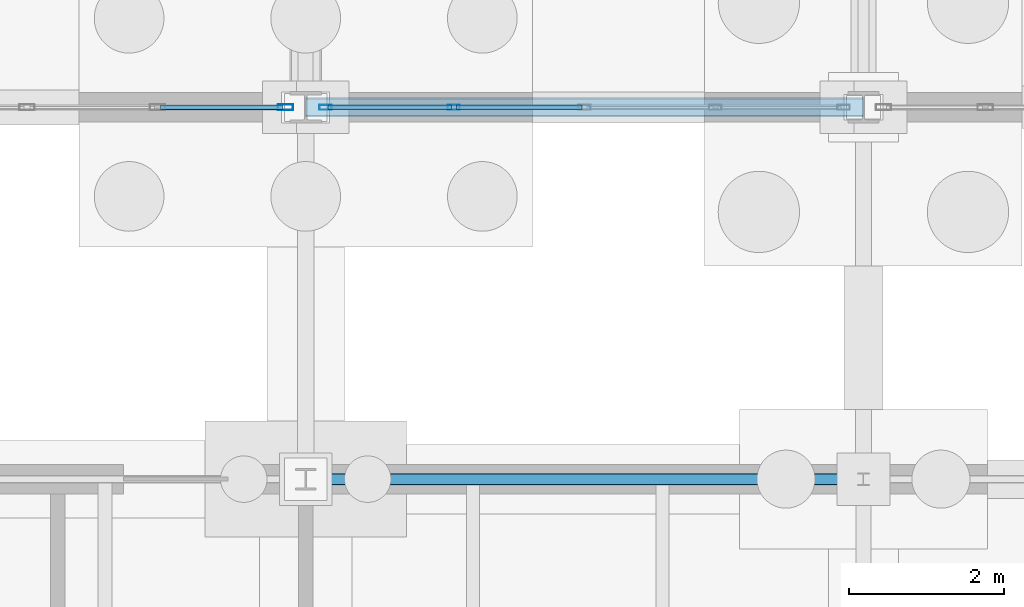
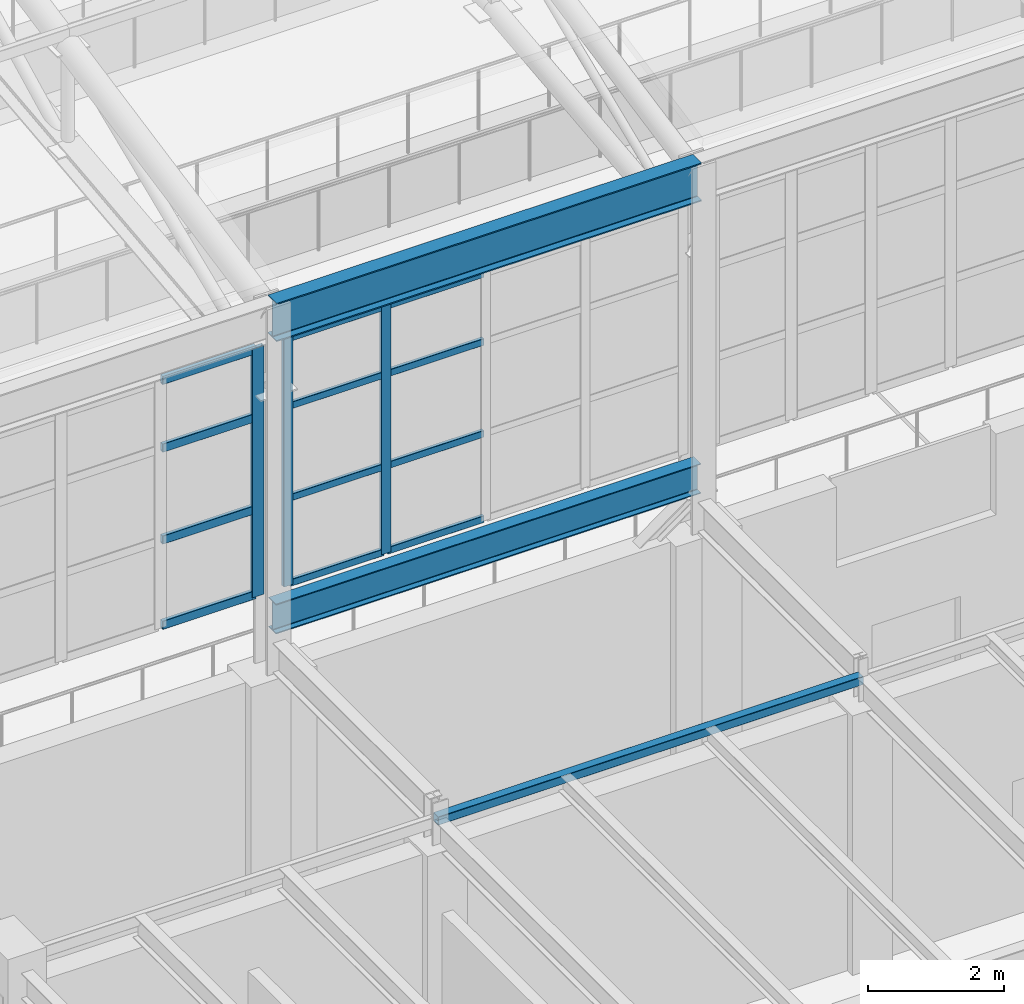
# One storey, part 168 of 293: 15 members, 3 beams, 2 elements without a shape of their own.
"""IFC4 building model written with IfcOpenShell, lengths in metres."""

from ifc_helpers import new_model, si_unit, direction, frame, origin, origin_2d, place, context, subcontext, project, spatial, hollow_rectangle, i_section, extrude, material, layer, layer_set, material_profile, profile_set, type_object, element, aggregate, save


model = new_model("IFC4")

# Units and contexts
model_context = context("Model", 3, precision=1e-05, world=origin(), true_north=direction((0.0, 1.0)))
body_context = subcontext(model_context, "Body", "Model", "MODEL_VIEW")
ifc_project = project(units=[si_unit("LENGTHUNIT", "METRE"), si_unit("AREAUNIT", "SQUARE_METRE"), si_unit("VOLUMEUNIT", "CUBIC_METRE"), si_unit("PLANEANGLEUNIT", "RADIAN"), si_unit("MASSUNIT", "GRAM", prefix="KILO")], contexts=[model_context])

# Site, building, storey
site_placement = place(None, origin())
site = spatial("IfcSite", under=ifc_project, at=site_placement, CompositionType="ELEMENT")
building_placement = place(site_placement, origin())
building = spatial("IfcBuilding", under=site, at=building_placement, Name="Kemerveld Promenade Tramway Depot", CompositionType="ELEMENT")
storey_placement = place(building_placement, origin())
storey = spatial("IfcBuildingStorey", under=building, at=storey_placement, Name="L00", CompositionType="ELEMENT", Elevation=0.0)

# Beams
ifc_material_1 = material(Name="Steel S355", Category="steel")
ifc_material_profile_1 = material_profile(ifc_material_1, i_section(OverallWidth=0.25439453125, OverallDepth=0.6875, WebThickness=0.01318359375, FlangeThickness=0.02099609375, FilletRadius=0.01513671875, at=origin_2d()), Name="686x254x152 UB")
ifc_profile_set_1 = profile_set([ifc_material_profile_1], Name="Steel S355")
beam_type_1 = type_object("IfcBeamType", Name="BM-G03", PredefinedType="BEAM", material=ifc_profile_set_1)
beam_1_placement = place(storey_placement, frame((144.0, 84.0, 11.056396484375), z_axis=(1.0, 0.0, 0.0), x_axis=(0.0, 1.0, 0.0)))
element("IfcBeam", 1, at=beam_1_placement, inside=storey, type_object=beam_type_1, Name="BM-SHED-EAVE-N-21", PredefinedType="BEAM", context=body_context, shape_type="SweptSolid", body=[
    extrude(i_section(OverallWidth=0.25439453125, OverallDepth=0.6875, WebThickness=0.01318359375, FlangeThickness=0.02099609375, FilletRadius=0.01513671875, at=origin_2d()), origin(), (0.0, 0.0, 1.0), 7.199951171875),
])
ifc_material_profile_2 = material_profile(ifc_material_1, i_section(OverallWidth=0.2099609375, OverallDepth=0.53662109375, WebThickness=0.0107421875, FlangeThickness=0.017333984375, FilletRadius=0.0126953125, at=origin_2d()), Name="533x210x101 UB")
ifc_profile_set_2 = profile_set([ifc_material_profile_2], Name="Steel S355")
beam_type_2 = type_object("IfcBeamType", Name="BM-G05", PredefinedType="BEAM", material=ifc_profile_set_2)
beam_2_placement = place(storey_placement, frame((144.0, 84.0, 5.731689453125), z_axis=(1.0, 0.0, 0.0), x_axis=(0.0, 1.0, 0.0)))
element("IfcBeam", 2, at=beam_2_placement, inside=storey, type_object=beam_type_2, Name="BM-SHED-MID-N-21", PredefinedType="BEAM", context=body_context, shape_type="SweptSolid", body=[
    extrude(i_section(OverallWidth=0.2099609375, OverallDepth=0.53662109375, WebThickness=0.0107421875, FlangeThickness=0.017333984375, FilletRadius=0.0126953125, at=origin_2d()), origin(), (0.0, 0.0, 1.0), 7.199951171875),
])
ifc_material_profile_3 = material_profile(ifc_material_1, hollow_rectangle(XDim=0.14990234375, YDim=0.14990234375, WallThickness=0.008056640625, InnerFilletRadius=0.00390625, OuterFilletRadius=0.011962890625, at=origin_2d()), Name="150x150x8.0 SHS")
ifc_profile_set_3 = profile_set([ifc_material_profile_3], Name="Steel S355")
beam_type_3 = type_object("IfcBeamType", Name="BM-SP4", PredefinedType="SPANDREL", material=ifc_profile_set_3)
beam_3_placement = place(storey_placement, frame((144.0, 79.199951171875, 5.0048828125), z_axis=(1.0, 0.0, 0.0), x_axis=(0.0, 1.0, 0.0)))
element("IfcBeam", 3, at=beam_3_placement, inside=storey, type_object=beam_type_3, Name="BMX-L00-21-22-M", PredefinedType="SPANDREL", context=body_context, shape_type="SweptSolid", body=[
    extrude(hollow_rectangle(XDim=0.14990234375, YDim=0.14990234375, WallThickness=0.008056640625, InnerFilletRadius=0.00390625, OuterFilletRadius=0.011962890625, at=origin_2d()), origin(), (0.0, 0.0, 1.0), 7.199951171875),
])

# Curtain wall, members
ifc_material_2 = material(Name="Bronze anodised aluminium and solar glass", Category="aluminium")
ifc_layer_1 = layer(ifc_material_2, 0.159912109375)
ifc_layer_set_1 = layer_set([ifc_layer_1], Name="CW-SYS-05")
curtain_wall_type_1 = type_object("IfcCurtainWallType", Name="CW-SYS-05", PredefinedType="USERDEFINED", material=ifc_layer_set_1)
curtain_wall_1_placement = place(storey_placement, origin())
curtain_wall_1 = element("IfcCurtainWall", 4, at=curtain_wall_1_placement, inside=storey, type_object=curtain_wall_type_1, Name="CW-V1-S-16", ObjectType="GLAZED_CURTAIN_WALL", PredefinedType="USERDEFINED")
ifc_material_3 = material(Name="Bronze anodised aluminium", Category="aluminium")
ifc_material_profile_4 = material_profile(ifc_material_3, hollow_rectangle(XDim=0.06494140625, YDim=0.159912109375, WallThickness=0.00390625, InnerFilletRadius=0.001953125, OuterFilletRadius=0.00390625, at=origin_2d()), Name="CW-MUL-160x65")
ifc_profile_set_4 = profile_set([ifc_material_profile_4], Name="Bronze anodised aluminium")
member_type_1 = type_object("IfcMemberType", Name="CW-MUL-A", PredefinedType="MULLION", material=ifc_profile_set_4)
member_1_placement = place(storey_placement, frame((145.91162109375, 84.0, 6.199951171875), z_axis=(0.0, 0.0, 1.0), x_axis=(0.0, -1.0, 0.0)))
member_1 = element("IfcMember", 5, at=member_1_placement, type_object=member_type_1, Name="CW05 mullion 4", PredefinedType="MULLION", context=body_context, shape_type="SweptSolid", body=[
    extrude(hollow_rectangle(XDim=0.06494140625, YDim=0.159912109375, WallThickness=0.00390625, InnerFilletRadius=0.001953125, OuterFilletRadius=0.00390625, at=origin_2d()), origin(), (0.0, 0.0, 1.0), 4.449951171875),
])
member_2_placement = place(storey_placement, frame((144.255615234375, 84.0, 6.199951171875), z_axis=(0.0, 0.0, 1.0), x_axis=(0.0, -1.0, 0.0)))
member_2 = element("IfcMember", 6, at=member_2_placement, type_object=member_type_1, Name="CW05 mullion 5", PredefinedType="MULLION", context=body_context, shape_type="SweptSolid", body=[
    extrude(hollow_rectangle(XDim=0.06494140625, YDim=0.159912109375, WallThickness=0.00390625, InnerFilletRadius=0.001953125, OuterFilletRadius=0.00390625, at=origin_2d()), origin(), (0.0, 0.0, 1.0), 4.449951171875),
])

# Curtain wall, member
ifc_layer_2 = layer(ifc_material_2, 0.199951171875)
ifc_layer_set_2 = layer_set([ifc_layer_2], Name="CW-SYS-04")
curtain_wall_type_2 = type_object("IfcCurtainWallType", Name="CW-SYS-04", PredefinedType="USERDEFINED", material=ifc_layer_set_2)
curtain_wall_2_placement = place(storey_placement, origin())
curtain_wall_2 = element("IfcCurtainWall", 7, at=curtain_wall_2_placement, inside=storey, type_object=curtain_wall_type_2, Name="CW-V1-S-15", ObjectType="GLAZED_CURTAIN_WALL", PredefinedType="USERDEFINED")
ifc_material_profile_5 = material_profile(ifc_material_3, hollow_rectangle(XDim=0.074951171875, YDim=0.199951171875, WallThickness=0.0048828125, InnerFilletRadius=0.001953125, OuterFilletRadius=0.0048828125, at=origin_2d()), Name="CW-MUL-200x75")
ifc_profile_set_5 = profile_set([ifc_material_profile_5], Name="Bronze anodised aluminium")
member_type_2 = type_object("IfcMemberType", Name="CW-MUL-B", PredefinedType="MULLION", material=ifc_profile_set_5)
member_3_placement = place(storey_placement, frame((143.7392578125, 84.0, 6.199951171875), z_axis=(0.0, 0.0, 1.0), x_axis=(0.0, -1.0, 0.0)))
member_3 = element("IfcMember", 8, at=member_3_placement, type_object=member_type_2, Name="CW04 mullion 1", PredefinedType="MULLION", context=body_context, shape_type="SweptSolid", body=[
    extrude(hollow_rectangle(XDim=0.074951171875, YDim=0.199951171875, WallThickness=0.0048828125, InnerFilletRadius=0.001953125, OuterFilletRadius=0.0048828125, at=origin_2d()), origin(), (0.0, 0.0, 1.0), 4.449951171875),
])

# Member
ifc_material_profile_6 = material_profile(ifc_material_3, hollow_rectangle(XDim=0.06005859375, YDim=0.1201171875, WallThickness=0.00390625, InnerFilletRadius=0.001953125, OuterFilletRadius=0.00390625, at=origin_2d()), Name="CW-TRN-120x60")
ifc_profile_set_6 = profile_set([ifc_material_profile_6], Name="Bronze anodised aluminium")
member_type_3 = type_object("IfcMemberType", Name="CW-TRN-A", PredefinedType="USERDEFINED", material=ifc_profile_set_6)
member_4_placement = place(storey_placement, frame((147.5673828125, 84.0, 6.22998046875), z_axis=(-1.0, 0.0, 0.0), x_axis=(0.0, -1.0, 0.0)))
member_4 = element("IfcMember", 9, at=member_4_placement, type_object=member_type_3, Name="CW05 transom 3.1", ObjectType="TRANSOM", PredefinedType="USERDEFINED", context=body_context, shape_type="SweptSolid", body=[
    extrude(hollow_rectangle(XDim=0.06005859375, YDim=0.1201171875, WallThickness=0.00390625, InnerFilletRadius=0.001953125, OuterFilletRadius=0.00390625, at=origin_2d()), origin(), (0.0, 0.0, 1.0), 1.623291015625),
])

member_5_placement = place(storey_placement, frame((147.5673828125, 84.0, 7.758056640625), z_axis=(-1.0, 0.0, 0.0), x_axis=(0.0, -1.0, 0.0)))
member_5 = element("IfcMember", 10, at=member_5_placement, type_object=member_type_3, Name="CW05 transom 3.2", ObjectType="TRANSOM", PredefinedType="USERDEFINED", context=body_context, shape_type="SweptSolid", body=[
    extrude(hollow_rectangle(XDim=0.06005859375, YDim=0.1201171875, WallThickness=0.00390625, InnerFilletRadius=0.001953125, OuterFilletRadius=0.00390625, at=origin_2d()), origin(), (0.0, 0.0, 1.0), 1.623291015625),
])

member_6_placement = place(storey_placement, frame((147.5673828125, 84.0, 9.404052734375), z_axis=(-1.0, 0.0, 0.0), x_axis=(0.0, -1.0, 0.0)))
member_6 = element("IfcMember", 11, at=member_6_placement, type_object=member_type_3, Name="CW05 transom 3.3", ObjectType="TRANSOM", PredefinedType="USERDEFINED", context=body_context, shape_type="SweptSolid", body=[
    extrude(hollow_rectangle(XDim=0.06005859375, YDim=0.1201171875, WallThickness=0.00390625, InnerFilletRadius=0.001953125, OuterFilletRadius=0.00390625, at=origin_2d()), origin(), (0.0, 0.0, 1.0), 1.623291015625),
])

member_7_placement = place(storey_placement, frame((147.5673828125, 84.0, 10.6201171875), z_axis=(-1.0, 0.0, 0.0), x_axis=(0.0, -1.0, 0.0)))
member_7 = element("IfcMember", 12, at=member_7_placement, type_object=member_type_3, Name="CW05 transom 3.4", ObjectType="TRANSOM", PredefinedType="USERDEFINED", context=body_context, shape_type="SweptSolid", body=[
    extrude(hollow_rectangle(XDim=0.06005859375, YDim=0.1201171875, WallThickness=0.00390625, InnerFilletRadius=0.001953125, OuterFilletRadius=0.00390625, at=origin_2d()), origin(), (0.0, 0.0, 1.0), 1.623291015625),
])

member_8_placement = place(storey_placement, frame((145.879150390625, 84.0, 6.22998046875), z_axis=(-1.0, 0.0, 0.0), x_axis=(0.0, -1.0, 0.0)))
member_8 = element("IfcMember", 13, at=member_8_placement, type_object=member_type_3, Name="CW05 transom 4.1", ObjectType="TRANSOM", PredefinedType="USERDEFINED", context=body_context, shape_type="SweptSolid", body=[
    extrude(hollow_rectangle(XDim=0.06005859375, YDim=0.1201171875, WallThickness=0.00390625, InnerFilletRadius=0.001953125, OuterFilletRadius=0.00390625, at=origin_2d()), origin(), (0.0, 0.0, 1.0), 1.591064453125),
])

member_9_placement = place(storey_placement, frame((145.879150390625, 84.0, 7.758056640625), z_axis=(-1.0, 0.0, 0.0), x_axis=(0.0, -1.0, 0.0)))
member_9 = element("IfcMember", 14, at=member_9_placement, type_object=member_type_3, Name="CW05 transom 4.2", ObjectType="TRANSOM", PredefinedType="USERDEFINED", context=body_context, shape_type="SweptSolid", body=[
    extrude(hollow_rectangle(XDim=0.06005859375, YDim=0.1201171875, WallThickness=0.00390625, InnerFilletRadius=0.001953125, OuterFilletRadius=0.00390625, at=origin_2d()), origin(), (0.0, 0.0, 1.0), 1.591064453125),
])

member_10_placement = place(storey_placement, frame((145.879150390625, 84.0, 9.404052734375), z_axis=(-1.0, 0.0, 0.0), x_axis=(0.0, -1.0, 0.0)))
member_10 = element("IfcMember", 15, at=member_10_placement, type_object=member_type_3, Name="CW05 transom 4.3", ObjectType="TRANSOM", PredefinedType="USERDEFINED", context=body_context, shape_type="SweptSolid", body=[
    extrude(hollow_rectangle(XDim=0.06005859375, YDim=0.1201171875, WallThickness=0.00390625, InnerFilletRadius=0.001953125, OuterFilletRadius=0.00390625, at=origin_2d()), origin(), (0.0, 0.0, 1.0), 1.591064453125),
])

member_11_placement = place(storey_placement, frame((145.879150390625, 84.0, 10.6201171875), z_axis=(-1.0, 0.0, 0.0), x_axis=(0.0, -1.0, 0.0)))
member_11 = element("IfcMember", 16, at=member_11_placement, type_object=member_type_3, Name="CW05 transom 4.4", ObjectType="TRANSOM", PredefinedType="USERDEFINED", context=body_context, shape_type="SweptSolid", body=[
    extrude(hollow_rectangle(XDim=0.06005859375, YDim=0.1201171875, WallThickness=0.00390625, InnerFilletRadius=0.001953125, OuterFilletRadius=0.00390625, at=origin_2d()), origin(), (0.0, 0.0, 1.0), 1.591064453125),
])

aggregate(curtain_wall_1, [member_1, member_2, member_4, member_5, member_6, member_7, member_8, member_9, member_10, member_11])

ifc_material_profile_7 = material_profile(ifc_material_3, hollow_rectangle(XDim=0.06494140625, YDim=0.14990234375, WallThickness=0.00439453125, InnerFilletRadius=0.001953125, OuterFilletRadius=0.00439453125, at=origin_2d()), Name="CW-TRN-150x65")
ifc_profile_set_7 = profile_set([ifc_material_profile_7], Name="Bronze anodised aluminium")
member_type_4 = type_object("IfcMemberType", Name="CW-TRN-B", PredefinedType="USERDEFINED", material=ifc_profile_set_7)
member_12_placement = place(storey_placement, frame((143.701904296875, 84.0, 6.232421875), z_axis=(-1.0, 0.0, 0.0), x_axis=(0.0, -1.0, 0.0)))
member_12 = element("IfcMember", 17, at=member_12_placement, type_object=member_type_4, Name="CW04 transom 1.1", ObjectType="TRANSOM", PredefinedType="USERDEFINED", context=body_context, shape_type="SweptSolid", body=[
    extrude(hollow_rectangle(XDim=0.06494140625, YDim=0.14990234375, WallThickness=0.00439453125, InnerFilletRadius=0.001953125, OuterFilletRadius=0.00439453125, at=origin_2d()), origin(), (0.0, 0.0, 1.0), 1.575927734375),
])

member_13_placement = place(storey_placement, frame((143.701904296875, 84.0, 7.758056640625), z_axis=(-1.0, 0.0, 0.0), x_axis=(0.0, -1.0, 0.0)))
member_13 = element("IfcMember", 18, at=member_13_placement, type_object=member_type_4, Name="CW04 transom 1.2", ObjectType="TRANSOM", PredefinedType="USERDEFINED", context=body_context, shape_type="SweptSolid", body=[
    extrude(hollow_rectangle(XDim=0.06494140625, YDim=0.14990234375, WallThickness=0.00439453125, InnerFilletRadius=0.001953125, OuterFilletRadius=0.00439453125, at=origin_2d()), origin(), (0.0, 0.0, 1.0), 1.575927734375),
])

member_14_placement = place(storey_placement, frame((143.701904296875, 84.0, 9.404052734375), z_axis=(-1.0, 0.0, 0.0), x_axis=(0.0, -1.0, 0.0)))
member_14 = element("IfcMember", 19, at=member_14_placement, type_object=member_type_4, Name="CW04 transom 1.3", ObjectType="TRANSOM", PredefinedType="USERDEFINED", context=body_context, shape_type="SweptSolid", body=[
    extrude(hollow_rectangle(XDim=0.06494140625, YDim=0.14990234375, WallThickness=0.00439453125, InnerFilletRadius=0.001953125, OuterFilletRadius=0.00439453125, at=origin_2d()), origin(), (0.0, 0.0, 1.0), 1.575927734375),
])

member_15_placement = place(storey_placement, frame((143.701904296875, 84.0, 10.617431640625), z_axis=(-1.0, 0.0, 0.0), x_axis=(0.0, -1.0, 0.0)))
member_15 = element("IfcMember", 20, at=member_15_placement, type_object=member_type_4, Name="CW04 transom 1.4", ObjectType="TRANSOM", PredefinedType="USERDEFINED", context=body_context, shape_type="SweptSolid", body=[
    extrude(hollow_rectangle(XDim=0.06494140625, YDim=0.14990234375, WallThickness=0.00439453125, InnerFilletRadius=0.001953125, OuterFilletRadius=0.00439453125, at=origin_2d()), origin(), (0.0, 0.0, 1.0), 1.575927734375),
])

aggregate(curtain_wall_2, [member_3, member_12, member_13, member_14, member_15])

save(model, "model.ifc")
